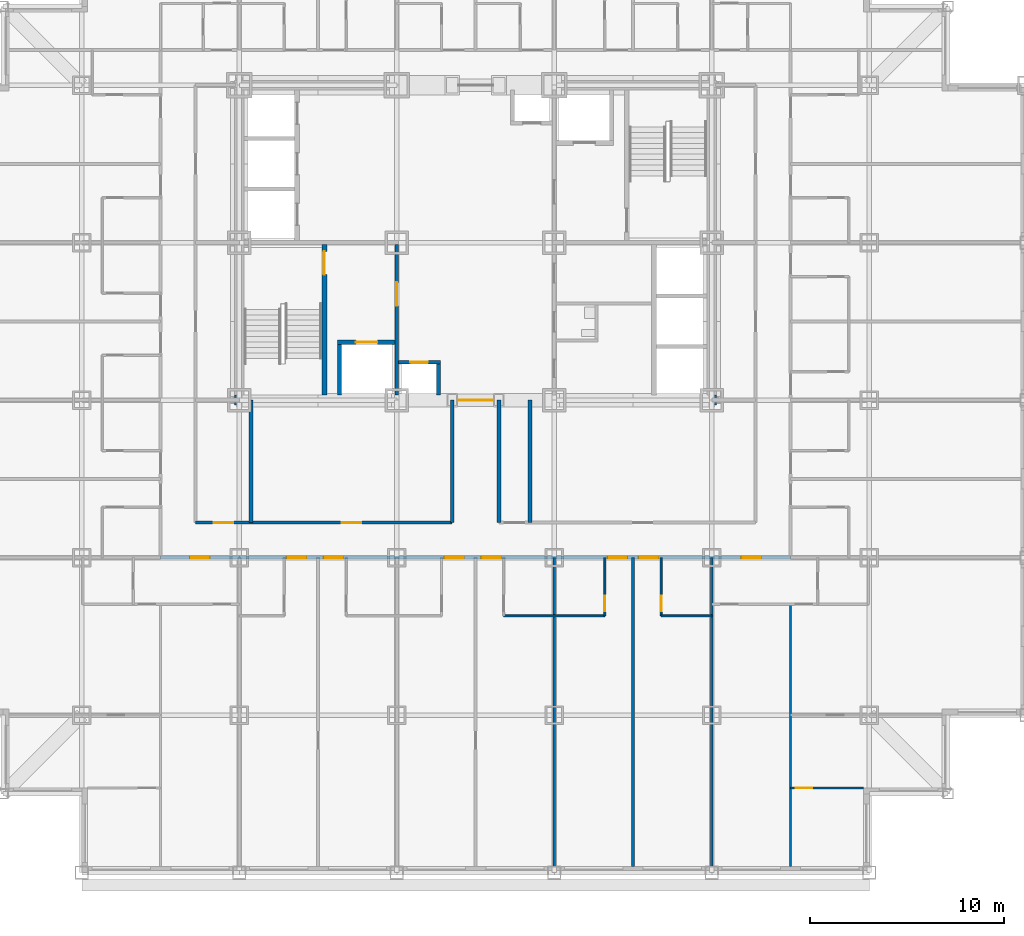
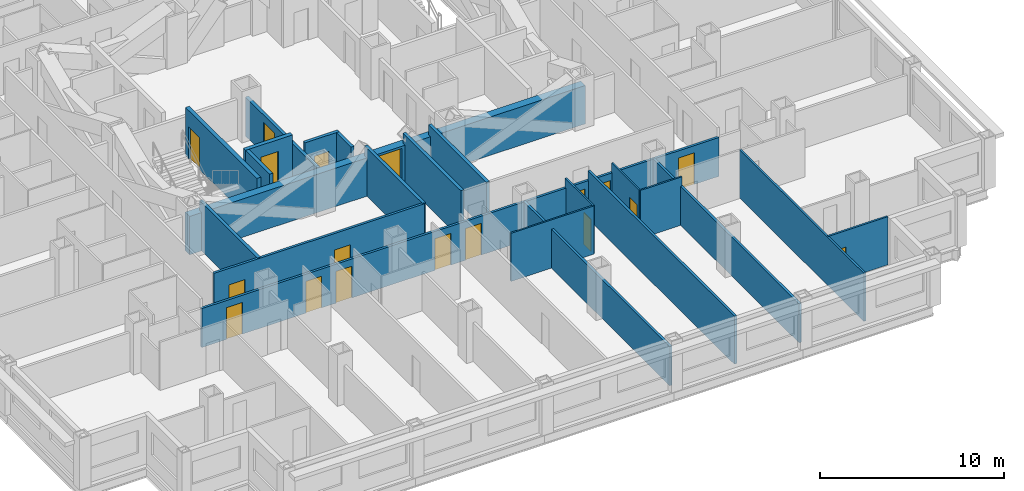
# One storey, part 5 of 12: 22 walls, 18 doors, 18 openings.
"""IFC4 building model written with IfcOpenShell, lengths in metres."""

from ifc_helpers import new_model, si_unit, direction, frame, frame_2d, origin, place, context, subcontext, project, spatial, rectangle, extrude, material, layer, layer_set, type_object, element, fill, save


model = new_model("IFC4")

# Units and contexts
model_context = context("Model", 3, precision=1e-05, world=origin(), true_north=direction((0.0, 1.0)))
body_context = subcontext(model_context, "Body", "Model", "MODEL_VIEW")
ifc_project = project(units=[si_unit("LENGTHUNIT", "METRE"), si_unit("AREAUNIT", "SQUARE_METRE"), si_unit("VOLUMEUNIT", "CUBIC_METRE"), si_unit("PLANEANGLEUNIT", "RADIAN"), si_unit("MASSUNIT", "GRAM", prefix="KILO")], contexts=[model_context])

# Site, building, storey
site_placement = place(None, origin())
site = spatial("IfcSite", under=ifc_project, at=site_placement, CompositionType="ELEMENT")
building_placement = place(site_placement, origin())
building = spatial("IfcBuilding", under=site, at=building_placement, Name="Kopane Lantern Tower", CompositionType="ELEMENT")
storey_placement = place(building_placement, frame((0.0, 0.0, 36.39990234375)))
storey = spatial("IfcBuildingStorey", under=building, at=storey_placement, Name="L07", CompositionType="ELEMENT", Elevation=36.39990234375)

# Wall
ifc_material_1 = material(Name="Gypsum board on steel studs", Category="steel")
ifc_layer_1 = layer(ifc_material_1, 0.1201171875)
ifc_layer_set_1 = layer_set([ifc_layer_1], Name="APARTMENT INTERNAL WALL 120")
wall_type_1 = type_object("IfcWallType", Name="APARTMENT INTERNAL WALL 120", PredefinedType="PARTITIONING", material=ifc_layer_set_1)
wall_1_placement = place(storey_placement, frame((44.550048828125, 13.800048828125, 0.0), z_axis=(0.0, 0.0, 1.0), x_axis=(0.0, -1.0, 0.0)))
element("IfcWall", 1, at=wall_1_placement, inside=storey, type_object=wall_type_1, Name="Apartment Internal Wall 120 L07", PredefinedType="PARTITIONING", context=body_context, shape_type="SweptSolid", body=[
    extrude(rectangle(XDim=13.5, YDim=0.1201171875, at=frame_2d((6.75, 0.0))), origin(), (0.0, 0.0, 1.0), 3.190185546875),
])

# Wall, opening, door
wall_2_placement = place(storey_placement, frame((44.550048828125, 4.35009765625, 0.0), z_axis=(0.0, 0.0, 1.0), x_axis=(1.0, 0.0, 0.0)))
wall_2 = element("IfcWall", 2, at=wall_2_placement, inside=storey, type_object=wall_type_1, Name="Apartment Internal Wall 120 L07", PredefinedType="PARTITIONING", context=body_context, shape_type="SweptSolid", body=[
    extrude(rectangle(XDim=3.75, YDim=0.1201171875, at=frame_2d((1.875, 0.0))), origin(), (0.0, 0.0, 1.0), 3.190185546875),
])
opening_1_placement = place(wall_2_placement, frame((0.27490234375, 0.0, 0.0)))
opening_1 = element("IfcOpeningElement", 3, at=opening_1_placement, cuts=wall_2, Name="Opening L07-076", PredefinedType="OPENING", context=body_context, shape_type="SweptSolid", body=[
    extrude(rectangle(XDim=0.85009765625, YDim=2.10009765625, at=frame_2d((0.425048828125, 1.050048828125))), frame((0.0, 0.070068359375, 0.0), z_axis=(0.0, -1.0, 0.0), x_axis=(1.0, 0.0, 0.0)), (0.0, 0.0, 1.0), 0.14013671875),
])
ifc_material_2 = material(Name="Timber door set", Category="wood")
door_type_1 = type_object("IfcDoorType", Name="DOOR D4 850x2100", OperationType="SINGLE_SWING_LEFT", PredefinedType="DOOR", material=ifc_material_2)
door_1_placement = place(opening_1_placement, origin())
door_1 = element("IfcDoor", 4, at=door_1_placement, inside=storey, type_object=door_type_1, Name="Door L07-076", OperationType="SINGLE_SWING_RIGHT", OverallHeight=2.10009765625, OverallWidth=0.85009765625, PredefinedType="DOOR", context=body_context, shape_type="SweptSolid", body=[
    extrude(rectangle(XDim=0.85009765625, YDim=2.10009765625, at=frame_2d((0.425048828125, 1.050048828125))), frame((0.0, 0.02490234375, 0.0), z_axis=(0.0, -1.0, 0.0), x_axis=(1.0, 0.0, 0.0)), (0.0, 0.0, 1.0), 0.050048828125),
])
fill(opening_1, door_1)

# Wall
ifc_material_3 = material(Name="Moisture-resistant board on steel studs", Category="steel")
ifc_layer_2 = layer(ifc_material_3, 0.10009765625)
ifc_layer_set_2 = layer_set([ifc_layer_2], Name="BATHROOM WALL 100")
wall_type_2 = type_object("IfcWallType", Name="BATHROOM WALL 100", PredefinedType="PARTITIONING", material=ifc_layer_set_2)
wall_3_placement = place(storey_placement, frame((29.800048828125, 13.199951171875, 0.0), z_axis=(0.0, 0.0, 1.0), x_axis=(1.0, 0.0, 0.0)))
element("IfcWall", 5, at=wall_3_placement, inside=storey, type_object=wall_type_2, Name="Bathroom Wall 100 L07", PredefinedType="PARTITIONING", context=body_context, shape_type="SweptSolid", body=[
    extrude(rectangle(XDim=5.199951171875, YDim=0.10009765625, at=frame_2d((2.60009765625, 0.0))), origin(), (0.0, 0.0, 1.0), 3.190185546875),
])

# Wall, opening, door
wall_4_placement = place(storey_placement, frame((35.0, 16.199951171875, 0.0), z_axis=(0.0, 0.0, 1.0), x_axis=(0.0, -1.0, 0.0)))
wall_4 = element("IfcWall", 6, at=wall_4_placement, inside=storey, type_object=wall_type_2, Name="Bathroom Wall 100 L07", PredefinedType="PARTITIONING", context=body_context, shape_type="SweptSolid", body=[
    extrude(rectangle(XDim=3.0, YDim=0.10009765625, at=frame_2d((1.5, 0.0))), origin(), (0.0, 0.0, 1.0), 3.190185546875),
])
opening_2_placement = place(wall_4_placement, frame((1.949951171875, 0.0, 0.0)))
opening_2 = element("IfcOpeningElement", 7, at=opening_2_placement, cuts=wall_4, Name="Opening L07-019", PredefinedType="OPENING", context=body_context, shape_type="SweptSolid", body=[
    extrude(rectangle(XDim=0.800048828125, YDim=2.10009765625, at=frame_2d((0.39990234375, 1.050048828125))), frame((0.0, 0.06005859375, 0.0), z_axis=(0.0, -1.0, 0.0), x_axis=(1.0, 0.0, 0.0)), (0.0, 0.0, 1.0), 0.1201171875),
])
ifc_material_4 = material(Name="Timber door set", Category="wood")
door_type_2 = type_object("IfcDoorType", Name="DOOR D2 800x2100", OperationType="SINGLE_SWING_LEFT", PredefinedType="DOOR", material=ifc_material_4)
door_2_placement = place(opening_2_placement, origin())
door_2 = element("IfcDoor", 8, at=door_2_placement, inside=storey, type_object=door_type_2, Name="Door L07-019", OperationType="SINGLE_SWING_LEFT", OverallHeight=2.10009765625, OverallWidth=0.800048828125, PredefinedType="DOOR", context=body_context, shape_type="SweptSolid", body=[
    extrude(rectangle(XDim=0.800048828125, YDim=2.10009765625, at=frame_2d((0.39990234375, 1.050048828125))), frame((0.0, 0.02490234375, 0.0), z_axis=(0.0, -1.0, 0.0), x_axis=(1.0, 0.0, 0.0)), (0.0, 0.0, 1.0), 0.050048828125),
])
fill(opening_2, door_2)

# Wall
wall_5_placement = place(storey_placement, frame((37.89990234375, 13.199951171875, 0.0), z_axis=(0.0, 0.0, 1.0), x_axis=(1.0, 0.0, 0.0)))
element("IfcWall", 9, at=wall_5_placement, inside=storey, type_object=wall_type_2, Name="Bathroom Wall 100 L07", PredefinedType="PARTITIONING", context=body_context, shape_type="SweptSolid", body=[
    extrude(rectangle(XDim=2.60009765625, YDim=0.10009765625, at=frame_2d((1.300048828125, 0.0))), origin(), (0.0, 0.0, 1.0), 3.190185546875),
])

# Wall, opening, door
wall_6_placement = place(storey_placement, frame((37.89990234375, 16.199951171875, 0.0), z_axis=(0.0, 0.0, 1.0), x_axis=(0.0, -1.0, 0.0)))
wall_6 = element("IfcWall", 10, at=wall_6_placement, inside=storey, type_object=wall_type_2, Name="Bathroom Wall 100 L07", PredefinedType="PARTITIONING", context=body_context, shape_type="SweptSolid", body=[
    extrude(rectangle(XDim=3.0, YDim=0.10009765625, at=frame_2d((1.5, 0.0))), origin(), (0.0, 0.0, 1.0), 3.190185546875),
])
opening_3_placement = place(wall_6_placement, frame((1.949951171875, 0.0, 0.0)))
opening_3 = element("IfcOpeningElement", 11, at=opening_3_placement, cuts=wall_6, Name="Opening L07-021", PredefinedType="OPENING", context=body_context, shape_type="SweptSolid", body=[
    extrude(rectangle(XDim=0.800048828125, YDim=2.10009765625, at=frame_2d((0.39990234375, 1.050048828125))), frame((0.0, 0.06005859375, 0.0), z_axis=(0.0, -1.0, 0.0), x_axis=(1.0, 0.0, 0.0)), (0.0, 0.0, 1.0), 0.1201171875),
])
door_3_placement = place(opening_3_placement, origin())
door_3 = element("IfcDoor", 12, at=door_3_placement, inside=storey, type_object=door_type_2, Name="Door L07-021", OperationType="SINGLE_SWING_RIGHT", OverallHeight=2.10009765625, OverallWidth=0.800048828125, PredefinedType="DOOR", context=body_context, shape_type="SweptSolid", body=[
    extrude(rectangle(XDim=0.800048828125, YDim=2.10009765625, at=frame_2d((0.39990234375, 1.050048828125))), frame((0.0, 0.02490234375, 0.0), z_axis=(0.0, -1.0, 0.0), x_axis=(1.0, 0.0, 0.0)), (0.0, 0.0, 1.0), 0.050048828125),
])
fill(opening_3, door_3)

ifc_material_5 = material(Name="Gypsum shaft wall EI 120", Category="gypsum")
ifc_layer_3 = layer(ifc_material_5, 0.5)
ifc_layer_set_3 = layer_set([ifc_layer_3], Name="CORE PERIMETER WALL 500 EI 120")
wall_type_3 = type_object("IfcWallType", Name="CORE PERIMETER WALL 500 EI 120", PredefinedType="SOLIDWALL", material=ifc_layer_set_3)
wall_7_placement = place(storey_placement, frame((15.949951171875, 24.300048828125, 0.0), z_axis=(0.0, 0.0, 1.0), x_axis=(1.0, 0.0, 0.0)))
wall_7 = element("IfcWall", 13, at=wall_7_placement, inside=storey, type_object=wall_type_3, Name="Core shaft wall L07 PS", PredefinedType="SOLIDWALL", context=body_context, shape_type="SweptSolid", body=[
    extrude(rectangle(XDim=24.800048828125, YDim=0.5, at=frame_2d((12.39990234375, 0.0))), origin(), (0.0, 0.0, 1.0), 2.5400390625),
])
opening_4_placement = place(wall_7_placement, frame((11.5, 0.0, 0.0)))
opening_4 = element("IfcOpeningElement", 14, at=opening_4_placement, cuts=wall_7, Name="Opening 07.CE-S", PredefinedType="OPENING", context=body_context, shape_type="SweptSolid", body=[
    extrude(rectangle(XDim=1.800048828125, YDim=2.39990234375, at=frame_2d((0.89990234375, 1.199951171875))), frame((0.0, 0.260009765625, 0.0), z_axis=(0.0, -1.0, 0.0), x_axis=(1.0, 0.0, 0.0)), (0.0, 0.0, 1.0), 0.52001953125),
])
ifc_material_6 = material(Name="Steel door set", Category="steel")
door_type_3 = type_object("IfcDoorType", Name="CORE ENTRY DOOR 1800x2400 FD60S", OperationType="DOUBLE_DOOR_SINGLE_SWING", PredefinedType="DOOR", material=ifc_material_6)
door_4_placement = place(opening_4_placement, origin())
door_4 = element("IfcDoor", 15, at=door_4_placement, inside=storey, type_object=door_type_3, Name="Core entry door L07 south", OperationType="DOUBLE_DOOR_SINGLE_SWING", OverallHeight=2.39990234375, OverallWidth=1.800048828125, PredefinedType="DOOR", context=body_context, shape_type="SweptSolid", body=[
    extrude(rectangle(XDim=1.800048828125, YDim=2.39990234375, at=frame_2d((0.89990234375, 1.199951171875))), frame((0.0, 0.02490234375, 0.0), z_axis=(0.0, -1.0, 0.0), x_axis=(1.0, 0.0, 0.0)), (0.0, 0.0, 1.0), 0.050048828125),
])
fill(opening_4, door_4)

ifc_material_7 = material(Name="Gypsum shaft wall EI 120", Category="gypsum")
ifc_layer_4 = layer(ifc_material_7, 0.25)
ifc_layer_set_4 = layer_set([ifc_layer_4], Name="CORE SHAFT WALL 250 EI 120")
wall_type_4 = type_object("IfcWallType", Name="CORE SHAFT WALL 250 EI 120", PredefinedType="SOLIDWALL", material=ifc_layer_set_4)
wall_8_placement = place(storey_placement, frame((20.574951171875, 24.550048828125, 0.0), z_axis=(0.0, 0.0, 1.0), x_axis=(0.0, 1.0, 0.0)))
wall_8 = element("IfcWall", 16, at=wall_8_placement, inside=storey, type_object=wall_type_4, Name="Core shaft wall L07 XST1", PredefinedType="SOLIDWALL", context=body_context, shape_type="SweptSolid", body=[
    extrude(rectangle(XDim=7.75, YDim=0.25, at=frame_2d((3.875, 0.0))), origin(), (0.0, 0.0, 1.0), 3.190185546875),
])
opening_5_placement = place(wall_8_placement, frame((6.199951171875, 0.0, 0.0)))
opening_5 = element("IfcOpeningElement", 17, at=opening_5_placement, cuts=wall_8, Name="Opening 07.SD1", PredefinedType="OPENING", context=body_context, shape_type="SweptSolid", body=[
    extrude(rectangle(XDim=1.199951171875, YDim=2.10009765625, at=frame_2d((0.60009765625, 1.050048828125))), frame((0.0, 0.135009765625, 0.0), z_axis=(0.0, -1.0, 0.0), x_axis=(1.0, 0.0, 0.0)), (0.0, 0.0, 1.0), 0.27001953125),
])
ifc_material_8 = material(Name="Steel door set", Category="steel")
door_type_4 = type_object("IfcDoorType", Name="STAIR DOOR 1200x2100 FD60S", OperationType="SINGLE_SWING_LEFT", PredefinedType="DOOR", material=ifc_material_8)
door_5_placement = place(opening_5_placement, origin())
door_5 = element("IfcDoor", 18, at=door_5_placement, inside=storey, type_object=door_type_4, Name="Stair door ST1 L07", OperationType="SINGLE_SWING_LEFT", OverallHeight=2.10009765625, OverallWidth=1.199951171875, PredefinedType="DOOR", context=body_context, shape_type="SweptSolid", body=[
    extrude(rectangle(XDim=1.199951171875, YDim=2.10009765625, at=frame_2d((0.60009765625, 1.050048828125))), frame((0.0, 0.02490234375, 0.0), z_axis=(0.0, -1.0, 0.0), x_axis=(1.0, 0.0, 0.0)), (0.0, 0.0, 1.0), 0.050048828125),
])
fill(opening_5, door_5)

wall_9_placement = place(storey_placement, frame((21.25, 27.27490234375, 0.0), z_axis=(0.0, 0.0, 1.0), x_axis=(1.0, 0.0, 0.0)))
wall_9 = element("IfcWall", 19, at=wall_9_placement, inside=storey, type_object=wall_type_4, Name="Core shaft wall L07 YLF1", PredefinedType="SOLIDWALL", context=body_context, shape_type="SweptSolid", body=[
    extrude(rectangle(XDim=2.949951171875, YDim=0.25, at=frame_2d((1.47509765625, 0.0))), origin(), (0.0, 0.0, 1.0), 3.190185546875),
])
opening_6_placement = place(wall_9_placement, frame((0.949951171875, 0.0, 0.0)))
opening_6 = element("IfcOpeningElement", 20, at=opening_6_placement, cuts=wall_9, Name="Opening 07.LD-LF1", PredefinedType="OPENING", context=body_context, shape_type="SweptSolid", body=[
    extrude(rectangle(XDim=1.10009765625, YDim=2.39990234375, at=frame_2d((0.550048828125, 1.199951171875))), frame((0.0, 0.135009765625, 0.0), z_axis=(0.0, -1.0, 0.0), x_axis=(1.0, 0.0, 0.0)), (0.0, 0.0, 1.0), 0.27001953125),
])
ifc_material_9 = material(Name="Steel door set", Category="steel")
door_type_5 = type_object("IfcDoorType", Name="LIFT LANDING DOOR 1100x2400 FD60", OperationType="DOUBLE_DOOR_SLIDING", PredefinedType="DOOR", material=ifc_material_9)
door_6_placement = place(opening_6_placement, origin())
door_6 = element("IfcDoor", 21, at=door_6_placement, inside=storey, type_object=door_type_5, Name="Landing door LF1 L07", OperationType="DOUBLE_DOOR_SLIDING", OverallHeight=2.39990234375, OverallWidth=1.10009765625, PredefinedType="DOOR", context=body_context, shape_type="SweptSolid", body=[
    extrude(rectangle(XDim=1.10009765625, YDim=2.39990234375, at=frame_2d((0.550048828125, 1.199951171875))), frame((0.0, 0.02490234375, 0.0), z_axis=(0.0, -1.0, 0.0), x_axis=(1.0, 0.0, 0.0)), (0.0, 0.0, 1.0), 0.050048828125),
])
fill(opening_6, door_6)

# Wall, openings, doors
ifc_material_10 = material(Name="Gypsum board on steel studs", Category="steel")
ifc_layer_5 = layer(ifc_material_10, 0.14990234375)
ifc_layer_set_5 = layer_set([ifc_layer_5], Name="CORRIDOR WALL 150 EI 60")
wall_type_5 = type_object("IfcWallType", Name="CORRIDOR WALL 150 EI 60", PredefinedType="PARTITIONING", material=ifc_layer_set_5)
wall_10_placement = place(storey_placement, frame((12.14990234375, 16.199951171875, 0.0), z_axis=(0.0, 0.0, 1.0), x_axis=(1.0, 0.0, 0.0)))
wall_10 = element("IfcWall", 22, at=wall_10_placement, inside=storey, type_object=wall_type_5, Name="Corridor Wall 150 Ei 60 L07", PredefinedType="PARTITIONING", context=body_context, shape_type="SweptSolid", body=[
    extrude(rectangle(XDim=32.400146484375, YDim=0.14990234375, at=frame_2d((16.2001953125, 0.0))), origin(), (0.0, 0.0, 1.0), 2.577880859375),
])
opening_7_placement = place(wall_10_placement, frame((6.5, 0.0, 0.0)))
opening_7 = element("IfcOpeningElement", 23, at=opening_7_placement, cuts=wall_10, Name="Opening L07-010", PredefinedType="OPENING", context=body_context, shape_type="SweptSolid", body=[
    extrude(rectangle(XDim=1.0, YDim=2.10009765625, at=frame_2d((0.5, 1.050048828125))), frame((0.0, 0.0849609375, 0.0), z_axis=(0.0, -1.0, 0.0), x_axis=(1.0, 0.0, 0.0)), (0.0, 0.0, 1.0), 0.169921875),
])
opening_8_placement = place(wall_10_placement, frame((8.39990234375, 0.0, 0.0)))
opening_8 = element("IfcOpeningElement", 24, at=opening_8_placement, cuts=wall_10, Name="Opening L07-012", PredefinedType="OPENING", context=body_context, shape_type="SweptSolid", body=[
    extrude(rectangle(XDim=1.0, YDim=2.10009765625, at=frame_2d((0.5, 1.050048828125))), frame((0.0, 0.0849609375, 0.0), z_axis=(0.0, -1.0, 0.0), x_axis=(1.0, 0.0, 0.0)), (0.0, 0.0, 1.0), 0.169921875),
])
opening_9_placement = place(wall_10_placement, frame((14.60009765625, 0.0, 0.0)))
opening_9 = element("IfcOpeningElement", 25, at=opening_9_placement, cuts=wall_10, Name="Opening L07-015", PredefinedType="OPENING", context=body_context, shape_type="SweptSolid", body=[
    extrude(rectangle(XDim=1.0, YDim=2.10009765625, at=frame_2d((0.5, 1.050048828125))), frame((0.0, 0.0849609375, 0.0), z_axis=(0.0, -1.0, 0.0), x_axis=(1.0, 0.0, 0.0)), (0.0, 0.0, 1.0), 0.169921875),
])
opening_10_placement = place(wall_10_placement, frame((16.5, 0.0, 0.0)))
opening_10 = element("IfcOpeningElement", 26, at=opening_10_placement, cuts=wall_10, Name="Opening L07-017", PredefinedType="OPENING", context=body_context, shape_type="SweptSolid", body=[
    extrude(rectangle(XDim=1.0, YDim=2.10009765625, at=frame_2d((0.5, 1.050048828125))), frame((0.0, 0.0849609375, 0.0), z_axis=(0.0, -1.0, 0.0), x_axis=(1.0, 0.0, 0.0)), (0.0, 0.0, 1.0), 0.169921875),
])
opening_11_placement = place(wall_10_placement, frame((23.0, 0.0, 0.0)))
opening_11 = element("IfcOpeningElement", 27, at=opening_11_placement, cuts=wall_10, Name="Opening L07-020", PredefinedType="OPENING", context=body_context, shape_type="SweptSolid", body=[
    extrude(rectangle(XDim=1.0, YDim=2.10009765625, at=frame_2d((0.5, 1.050048828125))), frame((0.0, 0.0849609375, 0.0), z_axis=(0.0, -1.0, 0.0), x_axis=(1.0, 0.0, 0.0)), (0.0, 0.0, 1.0), 0.169921875),
])
opening_12_placement = place(wall_10_placement, frame((24.60009765625, 0.0, 0.0)))
opening_12 = element("IfcOpeningElement", 28, at=opening_12_placement, cuts=wall_10, Name="Opening L07-022", PredefinedType="OPENING", context=body_context, shape_type="SweptSolid", body=[
    extrude(rectangle(XDim=1.0, YDim=2.10009765625, at=frame_2d((0.5, 1.050048828125))), frame((0.0, 0.0849609375, 0.0), z_axis=(0.0, -1.0, 0.0), x_axis=(1.0, 0.0, 0.0)), (0.0, 0.0, 1.0), 0.169921875),
])
opening_13_placement = place(wall_10_placement, frame((1.52490234375, 0.0, 0.0)))
opening_13 = element("IfcOpeningElement", 29, at=opening_13_placement, cuts=wall_10, Name="Opening L07-059", PredefinedType="OPENING", context=body_context, shape_type="SweptSolid", body=[
    extrude(rectangle(XDim=1.0, YDim=2.10009765625, at=frame_2d((0.5, 1.050048828125))), frame((0.0, 0.0849609375, 0.0), z_axis=(0.0, -1.0, 0.0), x_axis=(1.0, 0.0, 0.0)), (0.0, 0.0, 1.0), 0.169921875),
])
opening_14_placement = place(wall_10_placement, frame((29.875, 0.0, 0.0)))
opening_14 = element("IfcOpeningElement", 30, at=opening_14_placement, cuts=wall_10, Name="Opening L07-064", PredefinedType="OPENING", context=body_context, shape_type="SweptSolid", body=[
    extrude(rectangle(XDim=1.0, YDim=2.10009765625, at=frame_2d((0.5, 1.050048828125))), frame((0.0, 0.0849609375, 0.0), z_axis=(0.0, -1.0, 0.0), x_axis=(1.0, 0.0, 0.0)), (0.0, 0.0, 1.0), 0.169921875),
])
ifc_material_11 = material(Name="Steel door set", Category="steel")
door_type_6 = type_object("IfcDoorType", Name="DOOR D1 1000x2100 FD30S", OperationType="SINGLE_SWING_LEFT", PredefinedType="DOOR", material=ifc_material_11)
door_7_placement = place(opening_7_placement, origin())
door_7 = element("IfcDoor", 31, at=door_7_placement, inside=storey, type_object=door_type_6, Name="Door L07-010", OperationType="SINGLE_SWING_RIGHT", OverallHeight=2.10009765625, OverallWidth=1.0, PredefinedType="DOOR", context=body_context, shape_type="SweptSolid", body=[
    extrude(rectangle(XDim=1.0, YDim=2.10009765625, at=frame_2d((0.5, 1.050048828125))), frame((0.0, 0.02490234375, 0.0), z_axis=(0.0, -1.0, 0.0), x_axis=(1.0, 0.0, 0.0)), (0.0, 0.0, 1.0), 0.050048828125),
])
fill(opening_7, door_7)
door_8_placement = place(opening_8_placement, origin())
door_8 = element("IfcDoor", 32, at=door_8_placement, inside=storey, type_object=door_type_6, Name="Door L07-012", OperationType="SINGLE_SWING_LEFT", OverallHeight=2.10009765625, OverallWidth=1.0, PredefinedType="DOOR", context=body_context, shape_type="SweptSolid", body=[
    extrude(rectangle(XDim=1.0, YDim=2.10009765625, at=frame_2d((0.5, 1.050048828125))), frame((0.0, 0.02490234375, 0.0), z_axis=(0.0, -1.0, 0.0), x_axis=(1.0, 0.0, 0.0)), (0.0, 0.0, 1.0), 0.050048828125),
])
fill(opening_8, door_8)
door_9_placement = place(opening_9_placement, origin())
door_9 = element("IfcDoor", 33, at=door_9_placement, inside=storey, type_object=door_type_6, Name="Door L07-015", OperationType="SINGLE_SWING_RIGHT", OverallHeight=2.10009765625, OverallWidth=1.0, PredefinedType="DOOR", context=body_context, shape_type="SweptSolid", body=[
    extrude(rectangle(XDim=1.0, YDim=2.10009765625, at=frame_2d((0.5, 1.050048828125))), frame((0.0, 0.02490234375, 0.0), z_axis=(0.0, -1.0, 0.0), x_axis=(1.0, 0.0, 0.0)), (0.0, 0.0, 1.0), 0.050048828125),
])
fill(opening_9, door_9)
door_10_placement = place(opening_10_placement, origin())
door_10 = element("IfcDoor", 34, at=door_10_placement, inside=storey, type_object=door_type_6, Name="Door L07-017", OperationType="SINGLE_SWING_LEFT", OverallHeight=2.10009765625, OverallWidth=1.0, PredefinedType="DOOR", context=body_context, shape_type="SweptSolid", body=[
    extrude(rectangle(XDim=1.0, YDim=2.10009765625, at=frame_2d((0.5, 1.050048828125))), frame((0.0, 0.02490234375, 0.0), z_axis=(0.0, -1.0, 0.0), x_axis=(1.0, 0.0, 0.0)), (0.0, 0.0, 1.0), 0.050048828125),
])
fill(opening_10, door_10)
door_11_placement = place(opening_11_placement, origin())
door_11 = element("IfcDoor", 35, at=door_11_placement, inside=storey, type_object=door_type_6, Name="Door L07-020", OperationType="SINGLE_SWING_RIGHT", OverallHeight=2.10009765625, OverallWidth=1.0, PredefinedType="DOOR", context=body_context, shape_type="SweptSolid", body=[
    extrude(rectangle(XDim=1.0, YDim=2.10009765625, at=frame_2d((0.5, 1.050048828125))), frame((0.0, 0.02490234375, 0.0), z_axis=(0.0, -1.0, 0.0), x_axis=(1.0, 0.0, 0.0)), (0.0, 0.0, 1.0), 0.050048828125),
])
fill(opening_11, door_11)
door_12_placement = place(opening_12_placement, origin())
door_12 = element("IfcDoor", 36, at=door_12_placement, inside=storey, type_object=door_type_6, Name="Door L07-022", OperationType="SINGLE_SWING_LEFT", OverallHeight=2.10009765625, OverallWidth=1.0, PredefinedType="DOOR", context=body_context, shape_type="SweptSolid", body=[
    extrude(rectangle(XDim=1.0, YDim=2.10009765625, at=frame_2d((0.5, 1.050048828125))), frame((0.0, 0.02490234375, 0.0), z_axis=(0.0, -1.0, 0.0), x_axis=(1.0, 0.0, 0.0)), (0.0, 0.0, 1.0), 0.050048828125),
])
fill(opening_12, door_12)
door_13_placement = place(opening_13_placement, origin())
door_13 = element("IfcDoor", 37, at=door_13_placement, inside=storey, type_object=door_type_6, Name="Door L07-059", OperationType="SINGLE_SWING_LEFT", OverallHeight=2.10009765625, OverallWidth=1.0, PredefinedType="DOOR", context=body_context, shape_type="SweptSolid", body=[
    extrude(rectangle(XDim=1.0, YDim=2.10009765625, at=frame_2d((0.5, 1.050048828125))), frame((0.0, 0.02490234375, 0.0), z_axis=(0.0, -1.0, 0.0), x_axis=(1.0, 0.0, 0.0)), (0.0, 0.0, 1.0), 0.050048828125),
])
fill(opening_13, door_13)
door_14_placement = place(opening_14_placement, origin())
door_14 = element("IfcDoor", 38, at=door_14_placement, inside=storey, type_object=door_type_6, Name="Door L07-064", OperationType="SINGLE_SWING_RIGHT", OverallHeight=2.10009765625, OverallWidth=1.0, PredefinedType="DOOR", context=body_context, shape_type="SweptSolid", body=[
    extrude(rectangle(XDim=1.0, YDim=2.10009765625, at=frame_2d((0.5, 1.050048828125))), frame((0.0, 0.02490234375, 0.0), z_axis=(0.0, -1.0, 0.0), x_axis=(1.0, 0.0, 0.0)), (0.0, 0.0, 1.0), 0.050048828125),
])
fill(opening_14, door_14)

wall_11_placement = place(storey_placement, frame((13.949951171875, 18.0, 0.0), z_axis=(0.0, 0.0, 1.0), x_axis=(1.0, 0.0, 0.0)))
wall_11 = element("IfcWall", 39, at=wall_11_placement, inside=storey, type_object=wall_type_5, Name="Corridor Wall 150 Ei 60 L07", PredefinedType="PARTITIONING", context=body_context, shape_type="SweptSolid", body=[
    extrude(rectangle(XDim=13.18994140625, YDim=0.14990234375, at=frame_2d((6.594970703125, 0.0))), origin(), (0.0, 0.0, 1.0), 3.190185546875),
])
opening_15_placement = place(wall_11_placement, frame((0.9287109375, 0.0, 0.0)))
opening_15 = element("IfcOpeningElement", 40, at=opening_15_placement, cuts=wall_11, Name="Opening L07-005", PredefinedType="OPENING", context=body_context, shape_type="SweptSolid", body=[
    extrude(rectangle(XDim=1.0, YDim=2.10009765625, at=frame_2d((0.5, 1.050048828125))), frame((0.0, 0.0849609375, 0.0), z_axis=(0.0, -1.0, 0.0), x_axis=(1.0, 0.0, 0.0)), (0.0, 0.0, 1.0), 0.169921875),
])
opening_16_placement = place(wall_11_placement, frame((7.528564453125, 0.0, 0.0)))
opening_16 = element("IfcOpeningElement", 41, at=opening_16_placement, cuts=wall_11, Name="Opening L07-006", PredefinedType="OPENING", context=body_context, shape_type="SweptSolid", body=[
    extrude(rectangle(XDim=1.0, YDim=2.10009765625, at=frame_2d((0.5, 1.050048828125))), frame((0.0, 0.0849609375, 0.0), z_axis=(0.0, -1.0, 0.0), x_axis=(1.0, 0.0, 0.0)), (0.0, 0.0, 1.0), 0.169921875),
])
ifc_material_12 = material(Name="Steel door set", Category="steel")
door_type_7 = type_object("IfcDoorType", Name="DOOR D5 1000x2100 FD60", OperationType="SINGLE_SWING_LEFT", PredefinedType="DOOR", material=ifc_material_12)
door_15_placement = place(opening_15_placement, origin())
door_15 = element("IfcDoor", 42, at=door_15_placement, inside=storey, type_object=door_type_7, Name="Door L07-005", OperationType="SINGLE_SWING_LEFT", OverallHeight=2.10009765625, OverallWidth=1.0, PredefinedType="DOOR", context=body_context, shape_type="SweptSolid", body=[
    extrude(rectangle(XDim=1.0, YDim=2.10009765625, at=frame_2d((0.5, 1.050048828125))), frame((0.0, 0.02490234375, 0.0), z_axis=(0.0, -1.0, 0.0), x_axis=(1.0, 0.0, 0.0)), (0.0, 0.0, 1.0), 0.050048828125),
])
fill(opening_15, door_15)
door_16_placement = place(opening_16_placement, origin())
door_16 = element("IfcDoor", 43, at=door_16_placement, inside=storey, type_object=door_type_7, Name="Door L07-006", OperationType="SINGLE_SWING_RIGHT", OverallHeight=2.10009765625, OverallWidth=1.0, PredefinedType="DOOR", context=body_context, shape_type="SweptSolid", body=[
    extrude(rectangle(XDim=1.0, YDim=2.10009765625, at=frame_2d((0.5, 1.050048828125))), frame((0.0, 0.02490234375, 0.0), z_axis=(0.0, -1.0, 0.0), x_axis=(1.0, 0.0, 0.0)), (0.0, 0.0, 1.0), 0.050048828125),
])
fill(opening_16, door_16)

# Walls
ifc_material_13 = material(Name="Gypsum board on steel studs", Category="steel")
ifc_layer_6 = layer(ifc_material_13, 0.14990234375)
ifc_layer_set_6 = layer_set([ifc_layer_6], Name="DEMISING WALL 150 EI 60")
wall_type_6 = type_object("IfcWallType", Name="DEMISING WALL 150 EI 60", PredefinedType="PARTITIONING", material=ifc_layer_set_6)
wall_12_placement = place(storey_placement, frame((32.39990234375, 16.199951171875, 0.0), z_axis=(0.0, 0.0, 1.0), x_axis=(0.0, -1.0, 0.0)))
element("IfcWall", 44, at=wall_12_placement, inside=storey, type_object=wall_type_6, Name="Demising Wall 150 Ei 60 L07", PredefinedType="PARTITIONING", context=body_context, shape_type="SweptSolid", body=[
    extrude(rectangle(XDim=15.89990234375, YDim=0.14990234375, at=frame_2d((7.949951171875, 0.0))), origin(), (0.0, 0.0, 1.0), 2.577880859375),
])
wall_13_placement = place(storey_placement, frame((36.449951171875, 16.199951171875, 0.0), z_axis=(0.0, 0.0, 1.0), x_axis=(0.0, -1.0, 0.0)))
element("IfcWall", 45, at=wall_13_placement, inside=storey, type_object=wall_type_6, Name="Demising Wall 150 Ei 60 L07", PredefinedType="PARTITIONING", context=body_context, shape_type="SweptSolid", body=[
    extrude(rectangle(XDim=15.89990234375, YDim=0.14990234375, at=frame_2d((7.949951171875, 0.0))), origin(), (0.0, 0.0, 1.0), 3.190185546875),
])
wall_14_placement = place(storey_placement, frame((40.5, 16.199951171875, 0.0), z_axis=(0.0, 0.0, 1.0), x_axis=(0.0, -1.0, 0.0)))
element("IfcWall", 46, at=wall_14_placement, inside=storey, type_object=wall_type_6, Name="Demising Wall 150 Ei 60 L07", PredefinedType="PARTITIONING", context=body_context, shape_type="SweptSolid", body=[
    extrude(rectangle(XDim=15.89990234375, YDim=0.14990234375, at=frame_2d((7.949951171875, 0.0))), origin(), (0.0, 0.0, 1.0), 2.577880859375),
])
ifc_material_14 = material(Name="Concrete masonry", Category="masonry")
ifc_layer_7 = layer(ifc_material_14, 0.199951171875)
ifc_layer_set_7 = layer_set([ifc_layer_7], Name="PLANT ROOM WALL 200 EI 120")
wall_type_7 = type_object("IfcWallType", Name="PLANT ROOM WALL 200 EI 120", PredefinedType="SOLIDWALL", material=ifc_layer_set_7)
for number, where, z_axis, x_axis, name in (
    (47, (16.80712890625, 18.0, 0.0), (0.0, 0.0, 1.0), (0.0, 1.0, 0.0), "Plant Room Wall 200 Ei 120 L07"),
    (48, (31.14990234375, 18.0, 0.0), (0.0, 0.0, 1.0), (0.0, 1.0, 0.0), "Plant Room Wall 200 Ei 120 L07"),
    (49, (27.14990234375, 18.0, 0.0), (0.0, 0.0, 1.0), (0.0, 1.0, 0.0), "Plant Room Wall 200 Ei 120 L07"),
    (50, (29.550048828125, 18.0, 0.0), (0.0, 0.0, 1.0), (0.0, 1.0, 0.0), "Plant Room Wall 200 Ei 120 L07"),
):
    element("IfcWall", number, at=place(storey_placement, frame(where, z_axis=z_axis, x_axis=x_axis)), inside=storey, type_object=wall_type_7, Name=name, PredefinedType="SOLIDWALL", context=body_context, shape_type="SweptSolid", body=[
        extrude(rectangle(XDim=6.300048828125, YDim=0.199951171875, at=frame_2d((3.14990234375, 0.0))), origin(), (0.0, 0.0, 1.0), 3.190185546875),
    ])

# Wall, opening, door
ifc_material_15 = material(Name="Gypsum shaft wall EI 120", Category="gypsum")
ifc_layer_8 = layer(ifc_material_15, 0.199951171875)
ifc_layer_set_8 = layer_set([ifc_layer_8], Name="SHAFT WALL 200 EI 120")
wall_type_8 = type_object("IfcWallType", Name="SHAFT WALL 200 EI 120", PredefinedType="SOLIDWALL", material=ifc_layer_set_8)
wall_15_placement = place(storey_placement, frame((24.300048828125, 24.550048828125, 0.0), z_axis=(0.0, 0.0, 1.0), x_axis=(0.0, 1.0, 0.0)))
wall_15 = element("IfcWall", 51, at=wall_15_placement, inside=storey, type_object=wall_type_8, Name="Core shaft wall L07 X243", PredefinedType="SOLIDWALL", context=body_context, shape_type="SweptSolid", body=[
    extrude(rectangle(XDim=7.75, YDim=0.199951171875, at=frame_2d((3.875, 0.0))), origin(), (0.0, 0.0, 1.0), 2.577880859375),
])
opening_17_placement = place(wall_15_placement, frame((4.60009765625, 0.0, 0.0)))
opening_17 = element("IfcOpeningElement", 52, at=opening_17_placement, cuts=wall_15, Name="Opening 07.FL1", PredefinedType="OPENING", context=body_context, shape_type="SweptSolid", body=[
    extrude(rectangle(XDim=1.199951171875, YDim=2.10009765625, at=frame_2d((0.60009765625, 1.050048828125))), frame((0.0, 0.10986328125, 0.0), z_axis=(0.0, -1.0, 0.0), x_axis=(1.0, 0.0, 0.0)), (0.0, 0.0, 1.0), 0.219970703125),
])
ifc_material_16 = material(Name="Steel door set", Category="steel")
door_type_8 = type_object("IfcDoorType", Name="FIREFIGHTING LOBBY DOOR 1200x2100 FD60S", OperationType="SINGLE_SWING_RIGHT", PredefinedType="DOOR", material=ifc_material_16)
door_17_placement = place(opening_17_placement, origin())
door_17 = element("IfcDoor", 53, at=door_17_placement, inside=storey, type_object=door_type_8, Name="Firefighting lobby door FL1 L07", OperationType="SINGLE_SWING_LEFT", OverallHeight=2.10009765625, OverallWidth=1.199951171875, PredefinedType="DOOR", context=body_context, shape_type="SweptSolid", body=[
    extrude(rectangle(XDim=1.199951171875, YDim=2.10009765625, at=frame_2d((0.60009765625, 1.050048828125))), frame((0.0, 0.02490234375, 0.0), z_axis=(0.0, -1.0, 0.0), x_axis=(1.0, 0.0, 0.0)), (0.0, 0.0, 1.0), 0.050048828125),
])
fill(opening_17, door_17)

# Walls
wall_16_placement = place(storey_placement, frame((21.35009765625, 24.550048828125, 0.0), z_axis=(0.0, 0.0, 1.0), x_axis=(0.0, 1.0, 0.0)))
element("IfcWall", 54, at=wall_16_placement, inside=storey, type_object=wall_type_8, Name="Core shaft wall L07 XLF1", PredefinedType="SOLIDWALL", context=body_context, shape_type="SweptSolid", body=[
    extrude(rectangle(XDim=2.599853515625, YDim=0.199951171875, at=frame_2d((1.2998046875, 0.0))), origin(), (0.0, 0.0, 1.0), 3.190185546875),
])
wall_17_placement = place(storey_placement, frame((26.449951171875, 24.550048828125, 0.0), z_axis=(0.0, 0.0, 1.0), x_axis=(0.0, 1.0, 0.0)))
element("IfcWall", 55, at=wall_17_placement, inside=storey, type_object=wall_type_8, Name="Core shaft wall L07 XRS1", PredefinedType="SOLIDWALL", context=body_context, shape_type="SweptSolid", body=[
    extrude(rectangle(XDim=1.599853515625, YDim=0.199951171875, at=frame_2d((0.7998046875, 0.0))), origin(), (0.0, 0.0, 1.0), 3.190185546875),
])

# Wall, opening, door
wall_18_placement = place(storey_placement, frame((24.39990234375, 26.25, 0.0), z_axis=(0.0, 0.0, 1.0), x_axis=(1.0, 0.0, 0.0)))
wall_18 = element("IfcWall", 56, at=wall_18_placement, inside=storey, type_object=wall_type_8, Name="Core shaft wall L07 YRS1", PredefinedType="SOLIDWALL", context=body_context, shape_type="SweptSolid", body=[
    extrude(rectangle(XDim=2.150146484375, YDim=0.199951171875, at=frame_2d((1.0751953125, 0.0))), origin(), (0.0, 0.0, 1.0), 3.190185546875),
])
opening_18_placement = place(wall_18_placement, frame((0.60009765625, 0.0, 0.0)))
opening_18 = element("IfcOpeningElement", 57, at=opening_18_placement, cuts=wall_18, Name="Opening 07.RS1", PredefinedType="OPENING", context=body_context, shape_type="SweptSolid", body=[
    extrude(rectangle(XDim=0.89990234375, YDim=2.10009765625, at=frame_2d((0.449951171875, 1.050048828125))), frame((0.0, 0.10986328125, 0.0), z_axis=(0.0, -1.0, 0.0), x_axis=(1.0, 0.0, 0.0)), (0.0, 0.0, 1.0), 0.219970703125),
])
ifc_material_17 = material(Name="Steel door set", Category="steel")
door_type_9 = type_object("IfcDoorType", Name="RISER ACCESS DOOR 900x2100 FD60", OperationType="SINGLE_SWING_LEFT", PredefinedType="DOOR", material=ifc_material_17)
door_18_placement = place(opening_18_placement, origin())
door_18 = element("IfcDoor", 58, at=door_18_placement, inside=storey, type_object=door_type_9, Name="Riser access door RS1 L07", OperationType="SINGLE_SWING_LEFT", OverallHeight=2.10009765625, OverallWidth=0.89990234375, PredefinedType="DOOR", context=body_context, shape_type="SweptSolid", body=[
    extrude(rectangle(XDim=0.89990234375, YDim=2.10009765625, at=frame_2d((0.449951171875, 1.050048828125))), frame((0.0, 0.02490234375, 0.0), z_axis=(0.0, -1.0, 0.0), x_axis=(1.0, 0.0, 0.0)), (0.0, 0.0, 1.0), 0.050048828125),
])
fill(opening_18, door_18)

save(model, "model.ifc")
